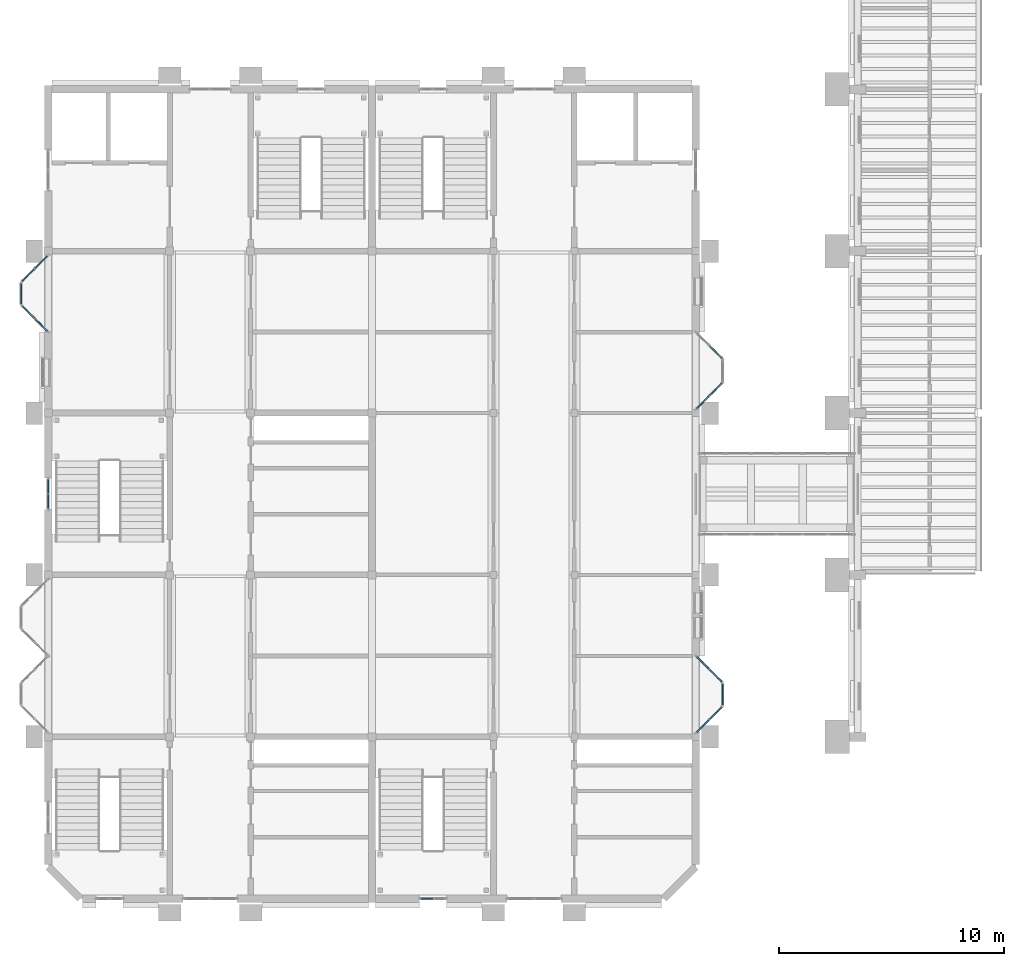
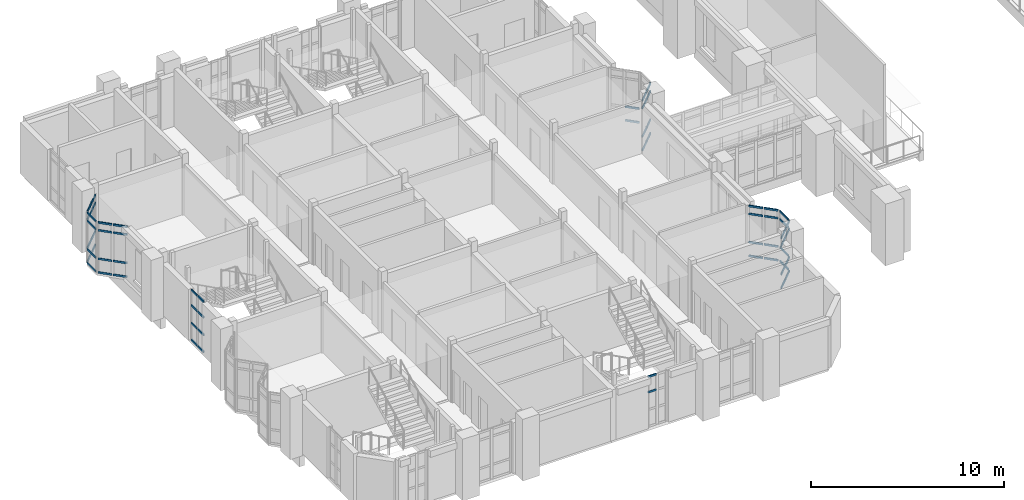
# One storey, part 22 of 69: 60 members, 10 elements without a shape of their own.
"""IFC4 building model written with IfcOpenShell, lengths in metres."""

from ifc_helpers import new_model, si_unit, direction, frame, origin, origin_2d, place, context, subcontext, project, spatial, rectangle, extrude, material, layer, layer_set, material_profile, profile_set, type_object, element, aggregate, save


model = new_model("IFC4")

# Units and contexts
model_context = context("Model", 3, precision=1e-05, world=origin(), true_north=direction((0.0, 1.0)))
body_context = subcontext(model_context, "Body", "Model", "MODEL_VIEW")
ifc_project = project(units=[si_unit("LENGTHUNIT", "METRE"), si_unit("AREAUNIT", "SQUARE_METRE"), si_unit("VOLUMEUNIT", "CUBIC_METRE"), si_unit("PLANEANGLEUNIT", "RADIAN"), si_unit("MASSUNIT", "GRAM", prefix="KILO")], contexts=[model_context])

# Site, building, storey
site_placement = place(None, origin())
site = spatial("IfcSite", under=ifc_project, at=site_placement, CompositionType="ELEMENT")
building_placement = place(site_placement, origin())
building = spatial("IfcBuilding", under=site, at=building_placement, Name="Mazhai Court Health Centre", CompositionType="ELEMENT")
storey_placement = place(building_placement, frame((0.0, 0.0, 6.300048828125)))
storey = spatial("IfcBuildingStorey", under=building, at=storey_placement, Name="L01", CompositionType="ELEMENT", Elevation=6.300048828125)

# Curtain wall, members
ifc_material_1 = material(Name="Teak timber frame, glazed", Category="wood")
ifc_layer_1 = layer(ifc_material_1, 0.10009765625)
ifc_layer_set_1 = layer_set([ifc_layer_1], Name="CURTAIN WALL TIMBER 600")
curtain_wall_type_1 = type_object("IfcCurtainWallType", Name="CURTAIN WALL TIMBER 600", PredefinedType="NOTDEFINED", material=ifc_layer_set_1)
curtain_wall_1_placement = place(storey_placement, origin())
curtain_wall_1 = element("IfcCurtainWall", 1, at=curtain_wall_1_placement, inside=storey, type_object=curtain_wall_type_1, Name="CW-V2-L01-A2", PredefinedType="NOTDEFINED")
ifc_material_2 = material(Name="Teak timber", Category="wood")
ifc_material_profile = material_profile(ifc_material_2, rectangle(XDim=0.06005859375, YDim=0.1201171875, at=origin_2d()), Name="CW TRANSOM 60x120")
ifc_profile_set = profile_set([ifc_material_profile], Name="Teak timber")
member_type = type_object("IfcMemberType", Name="CW TRANSOM 60x120", PredefinedType="USERDEFINED", material=ifc_profile_set)
member_1_placement = place(storey_placement, frame((6.199951171875, 23.56005859375, 0.030029296875), z_axis=(0.0, 1.0, 0.0), x_axis=(-1.0, 0.0, 0.0)))
member_1 = element("IfcMember", 2, at=member_1_placement, type_object=member_type, Name="CW transom 1.1", ObjectType="TRANSOM", PredefinedType="USERDEFINED", context=body_context, shape_type="SweptSolid", body=[
    extrude(rectangle(XDim=0.06005859375, YDim=0.1201171875, at=origin_2d()), origin(), (0.0, 0.0, 1.0), 0.60986328125),
])
member_2_placement = place(storey_placement, frame((6.199951171875, 23.56005859375, 1.099853515625), z_axis=(0.0, 1.0, 0.0), x_axis=(-1.0, 0.0, 0.0)))
member_2 = element("IfcMember", 3, at=member_2_placement, type_object=member_type, Name="CW transom 1.2", ObjectType="TRANSOM", PredefinedType="USERDEFINED", context=body_context, shape_type="SweptSolid", body=[
    extrude(rectangle(XDim=0.06005859375, YDim=0.1201171875, at=origin_2d()), origin(), (0.0, 0.0, 1.0), 0.60986328125),
])
member_3_placement = place(storey_placement, frame((6.199951171875, 23.56005859375, 2.219970703125), z_axis=(0.0, 1.0, 0.0), x_axis=(-1.0, 0.0, 0.0)))
member_3 = element("IfcMember", 4, at=member_3_placement, type_object=member_type, Name="CW transom 1.3", ObjectType="TRANSOM", PredefinedType="USERDEFINED", context=body_context, shape_type="SweptSolid", body=[
    extrude(rectangle(XDim=0.06005859375, YDim=0.1201171875, at=origin_2d()), origin(), (0.0, 0.0, 1.0), 0.60986328125),
])
member_4_placement = place(storey_placement, frame((6.199951171875, 23.56005859375, 3.18994140625), z_axis=(0.0, 1.0, 0.0), x_axis=(-1.0, 0.0, 0.0)))
member_4 = element("IfcMember", 5, at=member_4_placement, type_object=member_type, Name="CW transom 1.4", ObjectType="TRANSOM", PredefinedType="USERDEFINED", context=body_context, shape_type="SweptSolid", body=[
    extrude(rectangle(XDim=0.06005859375, YDim=0.1201171875, at=origin_2d()), origin(), (0.0, 0.0, 1.0), 0.60986328125),
])
member_5_placement = place(storey_placement, frame((6.199951171875, 24.22998046875, 0.030029296875), z_axis=(0.0, 1.0, 0.0), x_axis=(-1.0, 0.0, 0.0)))
member_5 = element("IfcMember", 6, at=member_5_placement, type_object=member_type, Name="CW transom 2.1", ObjectType="TRANSOM", PredefinedType="USERDEFINED", context=body_context, shape_type="SweptSolid", body=[
    extrude(rectangle(XDim=0.06005859375, YDim=0.1201171875, at=origin_2d()), origin(), (0.0, 0.0, 1.0), 0.610107421875),
])
member_6_placement = place(storey_placement, frame((6.199951171875, 24.22998046875, 1.099853515625), z_axis=(0.0, 1.0, 0.0), x_axis=(-1.0, 0.0, 0.0)))
member_6 = element("IfcMember", 7, at=member_6_placement, type_object=member_type, Name="CW transom 2.2", ObjectType="TRANSOM", PredefinedType="USERDEFINED", context=body_context, shape_type="SweptSolid", body=[
    extrude(rectangle(XDim=0.06005859375, YDim=0.1201171875, at=origin_2d()), origin(), (0.0, 0.0, 1.0), 0.610107421875),
])
member_7_placement = place(storey_placement, frame((6.199951171875, 24.22998046875, 2.219970703125), z_axis=(0.0, 1.0, 0.0), x_axis=(-1.0, 0.0, 0.0)))
member_7 = element("IfcMember", 8, at=member_7_placement, type_object=member_type, Name="CW transom 2.3", ObjectType="TRANSOM", PredefinedType="USERDEFINED", context=body_context, shape_type="SweptSolid", body=[
    extrude(rectangle(XDim=0.06005859375, YDim=0.1201171875, at=origin_2d()), origin(), (0.0, 0.0, 1.0), 0.610107421875),
])
member_8_placement = place(storey_placement, frame((6.199951171875, 24.22998046875, 3.18994140625), z_axis=(0.0, 1.0, 0.0), x_axis=(-1.0, 0.0, 0.0)))
member_8 = element("IfcMember", 9, at=member_8_placement, type_object=member_type, Name="CW transom 2.4", ObjectType="TRANSOM", PredefinedType="USERDEFINED", context=body_context, shape_type="SweptSolid", body=[
    extrude(rectangle(XDim=0.06005859375, YDim=0.1201171875, at=origin_2d()), origin(), (0.0, 0.0, 1.0), 0.610107421875),
])
aggregate(curtain_wall_1, [member_1, member_2, member_3, member_4, member_5, member_6, member_7, member_8])

ifc_material_3 = material(Name="Teak timber frame, glazed", Category="wood")
ifc_layer_2 = layer(ifc_material_3, 0.10009765625)
ifc_layer_set_2 = layer_set([ifc_layer_2], Name="CURTAIN WALL TIMBER 900")
curtain_wall_type_2 = type_object("IfcCurtainWallType", Name="CURTAIN WALL TIMBER 900", PredefinedType="NOTDEFINED", material=ifc_layer_set_2)
curtain_wall_2_placement = place(storey_placement, origin())
curtain_wall_2 = element("IfcCurtainWall", 10, at=curtain_wall_2_placement, inside=storey, type_object=curtain_wall_type_2, Name="CW-ORIEL-V2-L01-A31-0", PredefinedType="NOTDEFINED")
member_9_placement = place(storey_placement, frame((6.157470703125, 31.4423828125, 0.030029296875), z_axis=(-0.707106781187, 0.707106781187, 0.0), x_axis=(-0.707106781187, -0.707106781187, 0.0)))
member_9 = element("IfcMember", 11, at=member_9_placement, type_object=member_type, Name="CW transom 1.1", ObjectType="TRANSOM", PredefinedType="USERDEFINED", context=body_context, shape_type="SweptSolid", body=[
    extrude(rectangle(XDim=0.06005859375, YDim=0.1201171875, at=origin_2d()), origin(), (0.0, 0.0, 1.0), 0.758544921875),
])
member_10_placement = place(storey_placement, frame((6.157470703125, 31.4423828125, 0.89990234375), z_axis=(-0.707106781187, 0.707106781187, 0.0), x_axis=(-0.707106781187, -0.707106781187, 0.0)))
member_10 = element("IfcMember", 12, at=member_10_placement, type_object=member_type, Name="CW transom 1.2", ObjectType="TRANSOM", PredefinedType="USERDEFINED", context=body_context, shape_type="SweptSolid", body=[
    extrude(rectangle(XDim=0.06005859375, YDim=0.1201171875, at=origin_2d()), origin(), (0.0, 0.0, 1.0), 0.758544921875),
])
member_11_placement = place(storey_placement, frame((6.157470703125, 31.4423828125, 2.699951171875), z_axis=(-0.707106781187, 0.707106781187, 0.0), x_axis=(-0.707106781187, -0.707106781187, 0.0)))
member_11 = element("IfcMember", 13, at=member_11_placement, type_object=member_type, Name="CW transom 1.3", ObjectType="TRANSOM", PredefinedType="USERDEFINED", context=body_context, shape_type="SweptSolid", body=[
    extrude(rectangle(XDim=0.06005859375, YDim=0.1201171875, at=origin_2d()), origin(), (0.0, 0.0, 1.0), 0.758544921875),
])
member_12_placement = place(storey_placement, frame((6.157470703125, 31.4423828125, 3.18994140625), z_axis=(-0.707106781187, 0.707106781187, 0.0), x_axis=(-0.707106781187, -0.707106781187, 0.0)))
member_12 = element("IfcMember", 14, at=member_12_placement, type_object=member_type, Name="CW transom 1.4", ObjectType="TRANSOM", PredefinedType="USERDEFINED", context=body_context, shape_type="SweptSolid", body=[
    extrude(rectangle(XDim=0.06005859375, YDim=0.1201171875, at=origin_2d()), origin(), (0.0, 0.0, 1.0), 0.758544921875),
])
member_13_placement = place(storey_placement, frame((5.578857421875, 32.021240234375, 0.030029296875), z_axis=(-0.707106781187, 0.707106781187, 0.0), x_axis=(-0.707106781187, -0.707106781187, 0.0)))
member_13 = element("IfcMember", 15, at=member_13_placement, type_object=member_type, Name="CW transom 2.1", ObjectType="TRANSOM", PredefinedType="USERDEFINED", context=body_context, shape_type="SweptSolid", body=[
    extrude(rectangle(XDim=0.06005859375, YDim=0.1201171875, at=origin_2d()), origin(), (0.0, 0.0, 1.0), 0.758544921875),
])
member_14_placement = place(storey_placement, frame((5.578857421875, 32.021240234375, 0.89990234375), z_axis=(-0.707106781187, 0.707106781187, 0.0), x_axis=(-0.707106781187, -0.707106781187, 0.0)))
member_14 = element("IfcMember", 16, at=member_14_placement, type_object=member_type, Name="CW transom 2.2", ObjectType="TRANSOM", PredefinedType="USERDEFINED", context=body_context, shape_type="SweptSolid", body=[
    extrude(rectangle(XDim=0.06005859375, YDim=0.1201171875, at=origin_2d()), origin(), (0.0, 0.0, 1.0), 0.758544921875),
])
member_15_placement = place(storey_placement, frame((5.578857421875, 32.021240234375, 2.699951171875), z_axis=(-0.707106781187, 0.707106781187, 0.0), x_axis=(-0.707106781187, -0.707106781187, 0.0)))
member_15 = element("IfcMember", 17, at=member_15_placement, type_object=member_type, Name="CW transom 2.3", ObjectType="TRANSOM", PredefinedType="USERDEFINED", context=body_context, shape_type="SweptSolid", body=[
    extrude(rectangle(XDim=0.06005859375, YDim=0.1201171875, at=origin_2d()), origin(), (0.0, 0.0, 1.0), 0.758544921875),
])
member_16_placement = place(storey_placement, frame((5.578857421875, 32.021240234375, 3.18994140625), z_axis=(-0.707106781187, 0.707106781187, 0.0), x_axis=(-0.707106781187, -0.707106781187, 0.0)))
member_16 = element("IfcMember", 18, at=member_16_placement, type_object=member_type, Name="CW transom 2.4", ObjectType="TRANSOM", PredefinedType="USERDEFINED", context=body_context, shape_type="SweptSolid", body=[
    extrude(rectangle(XDim=0.06005859375, YDim=0.1201171875, at=origin_2d()), origin(), (0.0, 0.0, 1.0), 0.758544921875),
])
aggregate(curtain_wall_2, [member_9, member_10, member_11, member_12, member_13, member_14, member_15, member_16])

curtain_wall_3_placement = place(storey_placement, origin())
curtain_wall_3 = element("IfcCurtainWall", 19, at=curtain_wall_3_placement, inside=storey, type_object=curtain_wall_type_2, Name="CW-ORIEL-V2-L01-A31-1", PredefinedType="NOTDEFINED")
member_17_placement = place(storey_placement, frame((5.0, 32.659912109375, 0.030029296875), z_axis=(0.0, 1.0, 0.0), x_axis=(-1.0, 0.0, 0.0)))
member_17 = element("IfcMember", 20, at=member_17_placement, type_object=member_type, Name="CW transom 1.1", ObjectType="TRANSOM", PredefinedType="USERDEFINED", context=body_context, shape_type="SweptSolid", body=[
    extrude(rectangle(XDim=0.06005859375, YDim=0.1201171875, at=origin_2d()), origin(), (0.0, 0.0, 1.0), 0.900146484375),
])
member_18_placement = place(storey_placement, frame((5.0, 32.659912109375, 0.89990234375), z_axis=(0.0, 1.0, 0.0), x_axis=(-1.0, 0.0, 0.0)))
member_18 = element("IfcMember", 21, at=member_18_placement, type_object=member_type, Name="CW transom 1.2", ObjectType="TRANSOM", PredefinedType="USERDEFINED", context=body_context, shape_type="SweptSolid", body=[
    extrude(rectangle(XDim=0.06005859375, YDim=0.1201171875, at=origin_2d()), origin(), (0.0, 0.0, 1.0), 0.900146484375),
])
member_19_placement = place(storey_placement, frame((5.0, 32.659912109375, 2.699951171875), z_axis=(0.0, 1.0, 0.0), x_axis=(-1.0, 0.0, 0.0)))
member_19 = element("IfcMember", 22, at=member_19_placement, type_object=member_type, Name="CW transom 1.3", ObjectType="TRANSOM", PredefinedType="USERDEFINED", context=body_context, shape_type="SweptSolid", body=[
    extrude(rectangle(XDim=0.06005859375, YDim=0.1201171875, at=origin_2d()), origin(), (0.0, 0.0, 1.0), 0.900146484375),
])
member_20_placement = place(storey_placement, frame((5.0, 32.659912109375, 3.18994140625), z_axis=(0.0, 1.0, 0.0), x_axis=(-1.0, 0.0, 0.0)))
member_20 = element("IfcMember", 23, at=member_20_placement, type_object=member_type, Name="CW transom 1.4", ObjectType="TRANSOM", PredefinedType="USERDEFINED", context=body_context, shape_type="SweptSolid", body=[
    extrude(rectangle(XDim=0.06005859375, YDim=0.1201171875, at=origin_2d()), origin(), (0.0, 0.0, 1.0), 0.900146484375),
])
aggregate(curtain_wall_3, [member_17, member_18, member_19, member_20])

curtain_wall_4_placement = place(storey_placement, origin())
curtain_wall_4 = element("IfcCurtainWall", 24, at=curtain_wall_4_placement, inside=storey, type_object=curtain_wall_type_2, Name="CW-ORIEL-V2-L01-A31-2", PredefinedType="NOTDEFINED")
member_21_placement = place(storey_placement, frame((5.04248046875, 33.662353515625, 0.030029296875), z_axis=(0.707106781187, 0.707106781187, 0.0), x_axis=(-0.707106781187, 0.707106781187, 0.0)))
member_21 = element("IfcMember", 25, at=member_21_placement, type_object=member_type, Name="CW transom 1.1", ObjectType="TRANSOM", PredefinedType="USERDEFINED", context=body_context, shape_type="SweptSolid", body=[
    extrude(rectangle(XDim=0.06005859375, YDim=0.1201171875, at=origin_2d()), origin(), (0.0, 0.0, 1.0), 0.758544921875),
])
member_22_placement = place(storey_placement, frame((5.04248046875, 33.662353515625, 0.89990234375), z_axis=(0.707106781187, 0.707106781187, 0.0), x_axis=(-0.707106781187, 0.707106781187, 0.0)))
member_22 = element("IfcMember", 26, at=member_22_placement, type_object=member_type, Name="CW transom 1.2", ObjectType="TRANSOM", PredefinedType="USERDEFINED", context=body_context, shape_type="SweptSolid", body=[
    extrude(rectangle(XDim=0.06005859375, YDim=0.1201171875, at=origin_2d()), origin(), (0.0, 0.0, 1.0), 0.758544921875),
])
member_23_placement = place(storey_placement, frame((5.04248046875, 33.662353515625, 2.699951171875), z_axis=(0.707106781187, 0.707106781187, 0.0), x_axis=(-0.707106781187, 0.707106781187, 0.0)))
member_23 = element("IfcMember", 27, at=member_23_placement, type_object=member_type, Name="CW transom 1.3", ObjectType="TRANSOM", PredefinedType="USERDEFINED", context=body_context, shape_type="SweptSolid", body=[
    extrude(rectangle(XDim=0.06005859375, YDim=0.1201171875, at=origin_2d()), origin(), (0.0, 0.0, 1.0), 0.758544921875),
])
member_24_placement = place(storey_placement, frame((5.04248046875, 33.662353515625, 3.18994140625), z_axis=(0.707106781187, 0.707106781187, 0.0), x_axis=(-0.707106781187, 0.707106781187, 0.0)))
member_24 = element("IfcMember", 28, at=member_24_placement, type_object=member_type, Name="CW transom 1.4", ObjectType="TRANSOM", PredefinedType="USERDEFINED", context=body_context, shape_type="SweptSolid", body=[
    extrude(rectangle(XDim=0.06005859375, YDim=0.1201171875, at=origin_2d()), origin(), (0.0, 0.0, 1.0), 0.758544921875),
])
member_25_placement = place(storey_placement, frame((5.62109375, 34.2412109375, 0.030029296875), z_axis=(0.707106781187, 0.707106781187, 0.0), x_axis=(-0.707106781187, 0.707106781187, 0.0)))
member_25 = element("IfcMember", 29, at=member_25_placement, type_object=member_type, Name="CW transom 2.1", ObjectType="TRANSOM", PredefinedType="USERDEFINED", context=body_context, shape_type="SweptSolid", body=[
    extrude(rectangle(XDim=0.06005859375, YDim=0.1201171875, at=origin_2d()), origin(), (0.0, 0.0, 1.0), 0.758544921875),
])
member_26_placement = place(storey_placement, frame((5.62109375, 34.2412109375, 0.89990234375), z_axis=(0.707106781187, 0.707106781187, 0.0), x_axis=(-0.707106781187, 0.707106781187, 0.0)))
member_26 = element("IfcMember", 30, at=member_26_placement, type_object=member_type, Name="CW transom 2.2", ObjectType="TRANSOM", PredefinedType="USERDEFINED", context=body_context, shape_type="SweptSolid", body=[
    extrude(rectangle(XDim=0.06005859375, YDim=0.1201171875, at=origin_2d()), origin(), (0.0, 0.0, 1.0), 0.758544921875),
])
member_27_placement = place(storey_placement, frame((5.62109375, 34.2412109375, 2.699951171875), z_axis=(0.707106781187, 0.707106781187, 0.0), x_axis=(-0.707106781187, 0.707106781187, 0.0)))
member_27 = element("IfcMember", 31, at=member_27_placement, type_object=member_type, Name="CW transom 2.3", ObjectType="TRANSOM", PredefinedType="USERDEFINED", context=body_context, shape_type="SweptSolid", body=[
    extrude(rectangle(XDim=0.06005859375, YDim=0.1201171875, at=origin_2d()), origin(), (0.0, 0.0, 1.0), 0.758544921875),
])
member_28_placement = place(storey_placement, frame((5.62109375, 34.2412109375, 3.18994140625), z_axis=(0.707106781187, 0.707106781187, 0.0), x_axis=(-0.707106781187, 0.707106781187, 0.0)))
member_28 = element("IfcMember", 32, at=member_28_placement, type_object=member_type, Name="CW transom 2.4", ObjectType="TRANSOM", PredefinedType="USERDEFINED", context=body_context, shape_type="SweptSolid", body=[
    extrude(rectangle(XDim=0.06005859375, YDim=0.1201171875, at=origin_2d()), origin(), (0.0, 0.0, 1.0), 0.758544921875),
])
aggregate(curtain_wall_4, [member_21, member_22, member_23, member_24, member_25, member_26, member_27, member_28])

curtain_wall_5_placement = place(storey_placement, origin())
curtain_wall_5 = element("IfcCurtainWall", 33, at=curtain_wall_5_placement, inside=storey, type_object=curtain_wall_type_2, Name="CW-ORIEL-V5-L01-B10-0", PredefinedType="NOTDEFINED")
member_29_placement = place(storey_placement, frame((35.04248046875, 13.6025390625, 0.030029296875), z_axis=(0.707267725025, 0.706945800708, 0.0), x_axis=(-0.706945800708, 0.707267725025, 0.0)))
member_29 = element("IfcMember", 34, at=member_29_placement, type_object=member_type, Name="CW transom 1.1", ObjectType="TRANSOM", PredefinedType="USERDEFINED", context=body_context, shape_type="SweptSolid", body=[
    extrude(rectangle(XDim=0.06005859375, YDim=0.1201171875, at=origin_2d()), origin(), (0.0, 0.0, 1.0), 0.75830078125),
])
member_30_placement = place(storey_placement, frame((35.04248046875, 13.6025390625, 0.89990234375), z_axis=(0.707267725025, 0.706945800708, 0.0), x_axis=(-0.706945800708, 0.707267725025, 0.0)))
member_30 = element("IfcMember", 35, at=member_30_placement, type_object=member_type, Name="CW transom 1.2", ObjectType="TRANSOM", PredefinedType="USERDEFINED", context=body_context, shape_type="SweptSolid", body=[
    extrude(rectangle(XDim=0.06005859375, YDim=0.1201171875, at=origin_2d()), origin(), (0.0, 0.0, 1.0), 0.75830078125),
])
member_31_placement = place(storey_placement, frame((35.04248046875, 13.6025390625, 2.699951171875), z_axis=(0.707267725025, 0.706945800708, 0.0), x_axis=(-0.706945800708, 0.707267725025, 0.0)))
member_31 = element("IfcMember", 36, at=member_31_placement, type_object=member_type, Name="CW transom 1.3", ObjectType="TRANSOM", PredefinedType="USERDEFINED", context=body_context, shape_type="SweptSolid", body=[
    extrude(rectangle(XDim=0.06005859375, YDim=0.1201171875, at=origin_2d()), origin(), (0.0, 0.0, 1.0), 0.75830078125),
])
member_32_placement = place(storey_placement, frame((35.04248046875, 13.6025390625, 3.18994140625), z_axis=(0.707267725025, 0.706945800708, 0.0), x_axis=(-0.706945800708, 0.707267725025, 0.0)))
member_32 = element("IfcMember", 37, at=member_32_placement, type_object=member_type, Name="CW transom 1.4", ObjectType="TRANSOM", PredefinedType="USERDEFINED", context=body_context, shape_type="SweptSolid", body=[
    extrude(rectangle(XDim=0.06005859375, YDim=0.1201171875, at=origin_2d()), origin(), (0.0, 0.0, 1.0), 0.75830078125),
])
member_33_placement = place(storey_placement, frame((35.62109375, 14.18115234375, 0.030029296875), z_axis=(0.707106781187, 0.707106781187, 0.0), x_axis=(-0.707106781187, 0.707106781187, 0.0)))
member_33 = element("IfcMember", 38, at=member_33_placement, type_object=member_type, Name="CW transom 2.1", ObjectType="TRANSOM", PredefinedType="USERDEFINED", context=body_context, shape_type="SweptSolid", body=[
    extrude(rectangle(XDim=0.06005859375, YDim=0.1201171875, at=origin_2d()), origin(), (0.0, 0.0, 1.0), 0.758544921875),
])
member_34_placement = place(storey_placement, frame((35.62109375, 14.18115234375, 0.89990234375), z_axis=(0.707106781187, 0.707106781187, 0.0), x_axis=(-0.707106781187, 0.707106781187, 0.0)))
member_34 = element("IfcMember", 39, at=member_34_placement, type_object=member_type, Name="CW transom 2.2", ObjectType="TRANSOM", PredefinedType="USERDEFINED", context=body_context, shape_type="SweptSolid", body=[
    extrude(rectangle(XDim=0.06005859375, YDim=0.1201171875, at=origin_2d()), origin(), (0.0, 0.0, 1.0), 0.758544921875),
])
member_35_placement = place(storey_placement, frame((35.62109375, 14.18115234375, 2.699951171875), z_axis=(0.707106781187, 0.707106781187, 0.0), x_axis=(-0.707106781187, 0.707106781187, 0.0)))
member_35 = element("IfcMember", 40, at=member_35_placement, type_object=member_type, Name="CW transom 2.3", ObjectType="TRANSOM", PredefinedType="USERDEFINED", context=body_context, shape_type="SweptSolid", body=[
    extrude(rectangle(XDim=0.06005859375, YDim=0.1201171875, at=origin_2d()), origin(), (0.0, 0.0, 1.0), 0.758544921875),
])
member_36_placement = place(storey_placement, frame((35.62109375, 14.18115234375, 3.18994140625), z_axis=(0.707106781187, 0.707106781187, 0.0), x_axis=(-0.707106781187, 0.707106781187, 0.0)))
member_36 = element("IfcMember", 41, at=member_36_placement, type_object=member_type, Name="CW transom 2.4", ObjectType="TRANSOM", PredefinedType="USERDEFINED", context=body_context, shape_type="SweptSolid", body=[
    extrude(rectangle(XDim=0.06005859375, YDim=0.1201171875, at=origin_2d()), origin(), (0.0, 0.0, 1.0), 0.758544921875),
])
aggregate(curtain_wall_5, [member_29, member_30, member_31, member_32, member_33, member_34, member_35, member_36])

curtain_wall_6_placement = place(storey_placement, origin())
curtain_wall_6 = element("IfcCurtainWall", 42, at=curtain_wall_6_placement, inside=storey, type_object=curtain_wall_type_2, Name="CW-ORIEL-V5-L01-B10-1", PredefinedType="NOTDEFINED")
member_37_placement = place(storey_placement, frame((36.199951171875, 14.820068359375, 0.030029296875), z_axis=(0.0, 1.0, 0.0), x_axis=(-1.0, 0.0, 0.0)))
member_37 = element("IfcMember", 43, at=member_37_placement, type_object=member_type, Name="CW transom 1.1", ObjectType="TRANSOM", PredefinedType="USERDEFINED", context=body_context, shape_type="SweptSolid", body=[
    extrude(rectangle(XDim=0.06005859375, YDim=0.1201171875, at=origin_2d()), origin(), (0.0, 0.0, 1.0), 0.919921875),
])
member_38_placement = place(storey_placement, frame((36.199951171875, 14.820068359375, 0.89990234375), z_axis=(0.0, 1.0, 0.0), x_axis=(-1.0, 0.0, 0.0)))
member_38 = element("IfcMember", 44, at=member_38_placement, type_object=member_type, Name="CW transom 1.2", ObjectType="TRANSOM", PredefinedType="USERDEFINED", context=body_context, shape_type="SweptSolid", body=[
    extrude(rectangle(XDim=0.06005859375, YDim=0.1201171875, at=origin_2d()), origin(), (0.0, 0.0, 1.0), 0.919921875),
])
member_39_placement = place(storey_placement, frame((36.199951171875, 14.820068359375, 2.699951171875), z_axis=(0.0, 1.0, 0.0), x_axis=(-1.0, 0.0, 0.0)))
member_39 = element("IfcMember", 45, at=member_39_placement, type_object=member_type, Name="CW transom 1.3", ObjectType="TRANSOM", PredefinedType="USERDEFINED", context=body_context, shape_type="SweptSolid", body=[
    extrude(rectangle(XDim=0.06005859375, YDim=0.1201171875, at=origin_2d()), origin(), (0.0, 0.0, 1.0), 0.919921875),
])
member_40_placement = place(storey_placement, frame((36.199951171875, 14.820068359375, 3.18994140625), z_axis=(0.0, 1.0, 0.0), x_axis=(-1.0, 0.0, 0.0)))
member_40 = element("IfcMember", 46, at=member_40_placement, type_object=member_type, Name="CW transom 1.4", ObjectType="TRANSOM", PredefinedType="USERDEFINED", context=body_context, shape_type="SweptSolid", body=[
    extrude(rectangle(XDim=0.06005859375, YDim=0.1201171875, at=origin_2d()), origin(), (0.0, 0.0, 1.0), 0.919921875),
])
aggregate(curtain_wall_6, [member_37, member_38, member_39, member_40])

curtain_wall_7_placement = place(storey_placement, origin())
curtain_wall_7 = element("IfcCurtainWall", 47, at=curtain_wall_7_placement, inside=storey, type_object=curtain_wall_type_2, Name="CW-ORIEL-V5-L01-B10-2", PredefinedType="NOTDEFINED")
member_41_placement = place(storey_placement, frame((36.157470703125, 15.842529296875, 0.030029296875), z_axis=(-0.707106781187, 0.707106781187, 0.0), x_axis=(-0.707106781187, -0.707106781187, 0.0)))
member_41 = element("IfcMember", 48, at=member_41_placement, type_object=member_type, Name="CW transom 1.1", ObjectType="TRANSOM", PredefinedType="USERDEFINED", context=body_context, shape_type="SweptSolid", body=[
    extrude(rectangle(XDim=0.06005859375, YDim=0.1201171875, at=origin_2d()), origin(), (0.0, 0.0, 1.0), 0.758544921875),
])
member_42_placement = place(storey_placement, frame((36.157470703125, 15.842529296875, 0.89990234375), z_axis=(-0.707106781187, 0.707106781187, 0.0), x_axis=(-0.707106781187, -0.707106781187, 0.0)))
member_42 = element("IfcMember", 49, at=member_42_placement, type_object=member_type, Name="CW transom 1.2", ObjectType="TRANSOM", PredefinedType="USERDEFINED", context=body_context, shape_type="SweptSolid", body=[
    extrude(rectangle(XDim=0.06005859375, YDim=0.1201171875, at=origin_2d()), origin(), (0.0, 0.0, 1.0), 0.758544921875),
])
member_43_placement = place(storey_placement, frame((36.157470703125, 15.842529296875, 2.699951171875), z_axis=(-0.707106781187, 0.707106781187, 0.0), x_axis=(-0.707106781187, -0.707106781187, 0.0)))
member_43 = element("IfcMember", 50, at=member_43_placement, type_object=member_type, Name="CW transom 1.3", ObjectType="TRANSOM", PredefinedType="USERDEFINED", context=body_context, shape_type="SweptSolid", body=[
    extrude(rectangle(XDim=0.06005859375, YDim=0.1201171875, at=origin_2d()), origin(), (0.0, 0.0, 1.0), 0.758544921875),
])
member_44_placement = place(storey_placement, frame((36.157470703125, 15.842529296875, 3.18994140625), z_axis=(-0.707106781187, 0.707106781187, 0.0), x_axis=(-0.707106781187, -0.707106781187, 0.0)))
member_44 = element("IfcMember", 51, at=member_44_placement, type_object=member_type, Name="CW transom 1.4", ObjectType="TRANSOM", PredefinedType="USERDEFINED", context=body_context, shape_type="SweptSolid", body=[
    extrude(rectangle(XDim=0.06005859375, YDim=0.1201171875, at=origin_2d()), origin(), (0.0, 0.0, 1.0), 0.758544921875),
])
member_45_placement = place(storey_placement, frame((35.578857421875, 16.421142578125, 0.030029296875), z_axis=(-0.707106781187, 0.707106781187, 0.0), x_axis=(-0.707106781187, -0.707106781187, 0.0)))
member_45 = element("IfcMember", 52, at=member_45_placement, type_object=member_type, Name="CW transom 2.1", ObjectType="TRANSOM", PredefinedType="USERDEFINED", context=body_context, shape_type="SweptSolid", body=[
    extrude(rectangle(XDim=0.06005859375, YDim=0.1201171875, at=origin_2d()), origin(), (0.0, 0.0, 1.0), 0.758544921875),
])
member_46_placement = place(storey_placement, frame((35.578857421875, 16.421142578125, 0.89990234375), z_axis=(-0.707106781187, 0.707106781187, 0.0), x_axis=(-0.707106781187, -0.707106781187, 0.0)))
member_46 = element("IfcMember", 53, at=member_46_placement, type_object=member_type, Name="CW transom 2.2", ObjectType="TRANSOM", PredefinedType="USERDEFINED", context=body_context, shape_type="SweptSolid", body=[
    extrude(rectangle(XDim=0.06005859375, YDim=0.1201171875, at=origin_2d()), origin(), (0.0, 0.0, 1.0), 0.758544921875),
])
member_47_placement = place(storey_placement, frame((35.578857421875, 16.421142578125, 2.699951171875), z_axis=(-0.707106781187, 0.707106781187, 0.0), x_axis=(-0.707106781187, -0.707106781187, 0.0)))
member_47 = element("IfcMember", 54, at=member_47_placement, type_object=member_type, Name="CW transom 2.3", ObjectType="TRANSOM", PredefinedType="USERDEFINED", context=body_context, shape_type="SweptSolid", body=[
    extrude(rectangle(XDim=0.06005859375, YDim=0.1201171875, at=origin_2d()), origin(), (0.0, 0.0, 1.0), 0.758544921875),
])
member_48_placement = place(storey_placement, frame((35.578857421875, 16.421142578125, 3.18994140625), z_axis=(-0.707106781187, 0.707106781187, 0.0), x_axis=(-0.707106781187, -0.707106781187, 0.0)))
member_48 = element("IfcMember", 55, at=member_48_placement, type_object=member_type, Name="CW transom 2.4", ObjectType="TRANSOM", PredefinedType="USERDEFINED", context=body_context, shape_type="SweptSolid", body=[
    extrude(rectangle(XDim=0.06005859375, YDim=0.1201171875, at=origin_2d()), origin(), (0.0, 0.0, 1.0), 0.758544921875),
])
aggregate(curtain_wall_7, [member_41, member_42, member_43, member_44, member_45, member_46, member_47, member_48])

curtain_wall_8_placement = place(storey_placement, origin())
curtain_wall_8 = element("IfcCurtainWall", 56, at=curtain_wall_8_placement, inside=storey, type_object=curtain_wall_type_2, Name="CW-ORIEL-V5-L01-B30-0", PredefinedType="NOTDEFINED")
member_49_placement = place(storey_placement, frame((35.04248046875, 28.00244140625, 0.030029296875), z_axis=(0.707106781187, 0.707106781187, 0.0), x_axis=(-0.707106781187, 0.707106781187, 0.0)))
member_49 = element("IfcMember", 57, at=member_49_placement, type_object=member_type, Name="CW transom 1.1", ObjectType="TRANSOM", PredefinedType="USERDEFINED", context=body_context, shape_type="SweptSolid", body=[
    extrude(rectangle(XDim=0.06005859375, YDim=0.1201171875, at=origin_2d()), origin(), (0.0, 0.0, 1.0), 0.758544921875),
])
member_50_placement = place(storey_placement, frame((35.04248046875, 28.00244140625, 0.89990234375), z_axis=(0.707106781187, 0.707106781187, 0.0), x_axis=(-0.707106781187, 0.707106781187, 0.0)))
member_50 = element("IfcMember", 58, at=member_50_placement, type_object=member_type, Name="CW transom 1.2", ObjectType="TRANSOM", PredefinedType="USERDEFINED", context=body_context, shape_type="SweptSolid", body=[
    extrude(rectangle(XDim=0.06005859375, YDim=0.1201171875, at=origin_2d()), origin(), (0.0, 0.0, 1.0), 0.758544921875),
])
member_51_placement = place(storey_placement, frame((35.04248046875, 28.00244140625, 2.699951171875), z_axis=(0.707106781187, 0.707106781187, 0.0), x_axis=(-0.707106781187, 0.707106781187, 0.0)))
member_51 = element("IfcMember", 59, at=member_51_placement, type_object=member_type, Name="CW transom 1.3", ObjectType="TRANSOM", PredefinedType="USERDEFINED", context=body_context, shape_type="SweptSolid", body=[
    extrude(rectangle(XDim=0.06005859375, YDim=0.1201171875, at=origin_2d()), origin(), (0.0, 0.0, 1.0), 0.758544921875),
])
member_52_placement = place(storey_placement, frame((35.04248046875, 28.00244140625, 3.18994140625), z_axis=(0.707106781187, 0.707106781187, 0.0), x_axis=(-0.707106781187, 0.707106781187, 0.0)))
member_52 = element("IfcMember", 60, at=member_52_placement, type_object=member_type, Name="CW transom 1.4", ObjectType="TRANSOM", PredefinedType="USERDEFINED", context=body_context, shape_type="SweptSolid", body=[
    extrude(rectangle(XDim=0.06005859375, YDim=0.1201171875, at=origin_2d()), origin(), (0.0, 0.0, 1.0), 0.758544921875),
])
member_53_placement = place(storey_placement, frame((35.62109375, 28.581298828125, 0.030029296875), z_axis=(0.707106781187, 0.707106781187, 0.0), x_axis=(-0.707106781187, 0.707106781187, 0.0)))
member_53 = element("IfcMember", 61, at=member_53_placement, type_object=member_type, Name="CW transom 2.1", ObjectType="TRANSOM", PredefinedType="USERDEFINED", context=body_context, shape_type="SweptSolid", body=[
    extrude(rectangle(XDim=0.06005859375, YDim=0.1201171875, at=origin_2d()), origin(), (0.0, 0.0, 1.0), 0.758544921875),
])
member_54_placement = place(storey_placement, frame((35.62109375, 28.581298828125, 0.89990234375), z_axis=(0.707106781187, 0.707106781187, 0.0), x_axis=(-0.707106781187, 0.707106781187, 0.0)))
member_54 = element("IfcMember", 62, at=member_54_placement, type_object=member_type, Name="CW transom 2.2", ObjectType="TRANSOM", PredefinedType="USERDEFINED", context=body_context, shape_type="SweptSolid", body=[
    extrude(rectangle(XDim=0.06005859375, YDim=0.1201171875, at=origin_2d()), origin(), (0.0, 0.0, 1.0), 0.758544921875),
])
member_55_placement = place(storey_placement, frame((35.62109375, 28.581298828125, 2.699951171875), z_axis=(0.707106781187, 0.707106781187, 0.0), x_axis=(-0.707106781187, 0.707106781187, 0.0)))
member_55 = element("IfcMember", 63, at=member_55_placement, type_object=member_type, Name="CW transom 2.3", ObjectType="TRANSOM", PredefinedType="USERDEFINED", context=body_context, shape_type="SweptSolid", body=[
    extrude(rectangle(XDim=0.06005859375, YDim=0.1201171875, at=origin_2d()), origin(), (0.0, 0.0, 1.0), 0.758544921875),
])
member_56_placement = place(storey_placement, frame((35.62109375, 28.581298828125, 3.18994140625), z_axis=(0.707106781187, 0.707106781187, 0.0), x_axis=(-0.707106781187, 0.707106781187, 0.0)))
member_56 = element("IfcMember", 64, at=member_56_placement, type_object=member_type, Name="CW transom 2.4", ObjectType="TRANSOM", PredefinedType="USERDEFINED", context=body_context, shape_type="SweptSolid", body=[
    extrude(rectangle(XDim=0.06005859375, YDim=0.1201171875, at=origin_2d()), origin(), (0.0, 0.0, 1.0), 0.758544921875),
])
aggregate(curtain_wall_8, [member_49, member_50, member_51, member_52, member_53, member_54, member_55, member_56])

curtain_wall_9_placement = place(storey_placement, origin())
curtain_wall_9 = element("IfcCurtainWall", 65, at=curtain_wall_9_placement, inside=storey, type_object=curtain_wall_type_2, Name="CW-ORIEL-V5-L01-B30-2", PredefinedType="NOTDEFINED")
member_57_placement = place(storey_placement, frame((36.157470703125, 30.242431640625, 0.030029296875), z_axis=(-0.707106781187, 0.707106781187, 0.0), x_axis=(-0.707106781187, -0.707106781187, 0.0)))
member_57 = element("IfcMember", 66, at=member_57_placement, type_object=member_type, Name="CW transom 1.1", ObjectType="TRANSOM", PredefinedType="USERDEFINED", context=body_context, shape_type="SweptSolid", body=[
    extrude(rectangle(XDim=0.06005859375, YDim=0.1201171875, at=origin_2d()), origin(), (0.0, 0.0, 1.0), 0.758544921875),
])
member_58_placement = place(storey_placement, frame((36.157470703125, 30.242431640625, 0.89990234375), z_axis=(-0.707106781187, 0.707106781187, 0.0), x_axis=(-0.707106781187, -0.707106781187, 0.0)))
member_58 = element("IfcMember", 67, at=member_58_placement, type_object=member_type, Name="CW transom 1.2", ObjectType="TRANSOM", PredefinedType="USERDEFINED", context=body_context, shape_type="SweptSolid", body=[
    extrude(rectangle(XDim=0.06005859375, YDim=0.1201171875, at=origin_2d()), origin(), (0.0, 0.0, 1.0), 0.758544921875),
])
aggregate(curtain_wall_9, [member_57, member_58])

curtain_wall_10_placement = place(storey_placement, origin())
curtain_wall_10 = element("IfcCurtainWall", 68, at=curtain_wall_10_placement, inside=storey, type_object=curtain_wall_type_1, Name="CW-V5-L01-SSTAIR0", PredefinedType="NOTDEFINED")
member_59_placement = place(storey_placement, frame((23.2900390625, 6.199951171875, 2.199951171875), z_axis=(-1.0, 0.0, 0.0), x_axis=(0.0, -1.0, 0.0)))
member_59 = element("IfcMember", 69, at=member_59_placement, type_object=member_type, Name="CW transom 2.3", ObjectType="TRANSOM", PredefinedType="USERDEFINED", context=body_context, shape_type="SweptSolid", body=[
    extrude(rectangle(XDim=0.06005859375, YDim=0.1201171875, at=origin_2d()), origin(), (0.0, 0.0, 1.0), 0.510009765625),
])
member_60_placement = place(storey_placement, frame((23.2900390625, 6.199951171875, 3.169921875), z_axis=(-1.0, 0.0, 0.0), x_axis=(0.0, -1.0, 0.0)))
member_60 = element("IfcMember", 70, at=member_60_placement, type_object=member_type, Name="CW transom 2.4", ObjectType="TRANSOM", PredefinedType="USERDEFINED", context=body_context, shape_type="SweptSolid", body=[
    extrude(rectangle(XDim=0.06005859375, YDim=0.1201171875, at=origin_2d()), origin(), (0.0, 0.0, 1.0), 0.510009765625),
])
aggregate(curtain_wall_10, [member_59, member_60])

save(model, "model.ifc")
